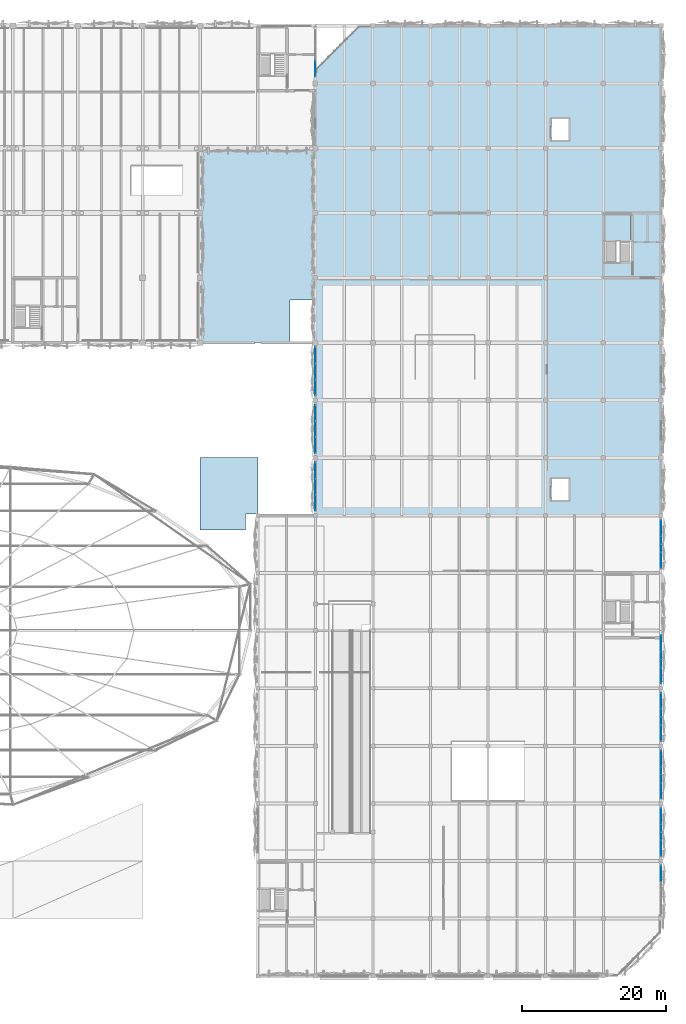
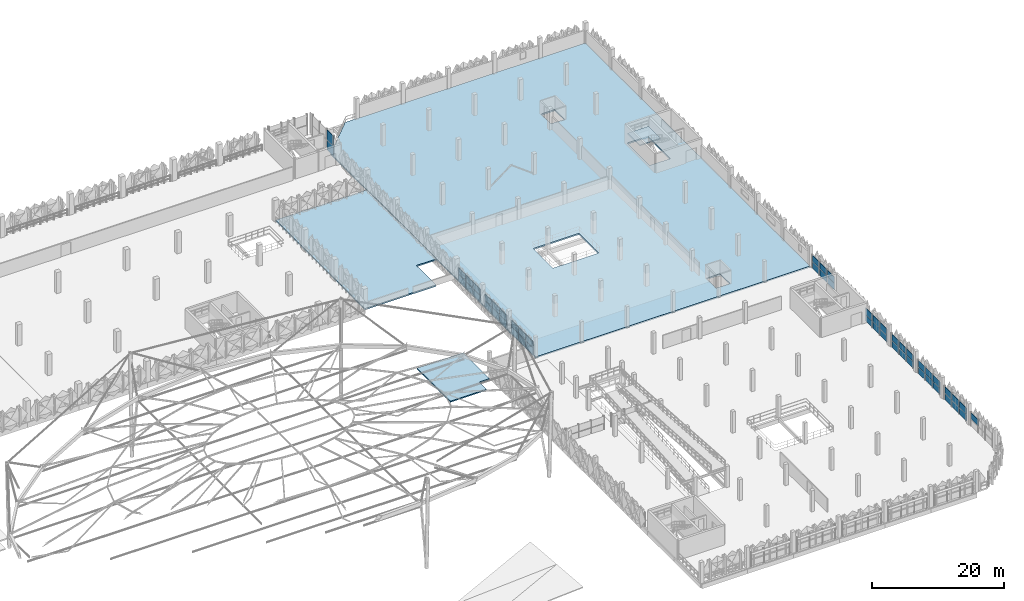
# One storey, part 39 of 96: 51 plates, 4 slabs, 11 elements without a shape of their own.
"""IFC4 building model written with IfcOpenShell, lengths in metres."""

from ifc_helpers import new_model, si_unit, derived_unit, direction, frame, origin, origin_2d, place, context, subcontext, project, spatial, polyline, rectangle, outline, extrude, material, layer, layer_set, type_object, element, aggregate, save


model = new_model("IFC4")

# Units and contexts
model_context = context("Model", 3, precision=1e-05, world=origin(), true_north=direction((0.0, 1.0)))
body_context = subcontext(model_context, "Body", "Model", "MODEL_VIEW")
ifc_project = project(units=[si_unit("LENGTHUNIT", "METRE"), si_unit("AREAUNIT", "SQUARE_METRE"), si_unit("VOLUMEUNIT", "CUBIC_METRE"), si_unit("PLANEANGLEUNIT", "RADIAN"), si_unit("MASSUNIT", "GRAM", prefix="KILO"), si_unit("THERMODYNAMICTEMPERATUREUNIT", "KELVIN"), derived_unit("THERMALTRANSMITTANCEUNIT", [(si_unit("POWERUNIT", "WATT"), 1), (si_unit("AREAUNIT", "SQUARE_METRE"), -1), (si_unit("THERMODYNAMICTEMPERATUREUNIT", "KELVIN"), -1)])], contexts=[model_context])

# Site, building, storey
site_placement = place(None, origin())
site = spatial("IfcSite", under=ifc_project, at=site_placement, CompositionType="ELEMENT")
building_placement = place(site_placement, origin())
building = spatial("IfcBuilding", under=site, at=building_placement, Name="Haiyu Intermodal Mobility Hub", CompositionType="ELEMENT")
storey_placement = place(building_placement, frame((0.0, 0.0, 9.5)))
storey = spatial("IfcBuildingStorey", under=building, at=storey_placement, Name="L02", CompositionType="ELEMENT", Elevation=9.5)

# Curtain wall, plates
ifc_material_1 = material(Name="Low-e laminated insulating glass", Category="glass")
ifc_layer_1 = layer(ifc_material_1, 0.2099609375)
ifc_layer_set_1 = layer_set([ifc_layer_1], Name="Low-e laminated insulating glass")
curtain_wall_type_1 = type_object("IfcCurtainWallType", Name="CW-CW04", PredefinedType="NOTDEFINED", material=ifc_layer_set_1)
curtain_wall_1_placement = place(storey_placement, origin())
curtain_wall_1 = element("IfcCurtainWall", 1, at=curtain_wall_1_placement, inside=storey, type_object=curtain_wall_type_1, Name="Curtain Wall CW-V6W-L02-146", PredefinedType="NOTDEFINED")
ifc_layer_2 = layer(ifc_material_1, 0.035888671875)
ifc_layer_set_2 = layer_set([ifc_layer_2], Name="Low-e laminated insulating glass")
plate_type_1 = type_object("IfcPlateType", Name="PLT-CP01", PredefinedType="CURTAIN_PANEL", material=ifc_layer_set_2)
plate_1_placement = place(storey_placement, frame((162.0, 86.22705078125, 0.03515625), z_axis=(0.0, 0.0, 1.0), x_axis=(0.0, -1.0, 0.0)))
plate_1 = element("IfcPlate", 2, at=plate_1_placement, type_object=plate_type_1, Name="CW-V6W-L02-146-PN01", PredefinedType="CURTAIN_PANEL", context=body_context, shape_type="SweptSolid", body=[
    extrude(rectangle(XDim=2.136962890625, YDim=0.035888671875, at=origin_2d()), origin(), (0.0, 0.0, 1.0), 1.169921875),
])
plate_2_placement = place(storey_placement, frame((162.0, 84.0, 0.03515625), z_axis=(0.0, 0.0, 1.0), x_axis=(0.0, -1.0, 0.0)))
plate_2 = element("IfcPlate", 3, at=plate_2_placement, type_object=plate_type_1, Name="CW-V6W-L02-146-PN03", PredefinedType="CURTAIN_PANEL", context=body_context, shape_type="SweptSolid", body=[
    extrude(rectangle(XDim=2.136962890625, YDim=0.035888671875, at=origin_2d()), origin(), (0.0, 0.0, 1.0), 1.169921875),
])
plate_3_placement = place(storey_placement, frame((162.0, 81.77294921875, 0.03515625), z_axis=(0.0, 0.0, 1.0), x_axis=(0.0, -1.0, 0.0)))
plate_3 = element("IfcPlate", 4, at=plate_3_placement, type_object=plate_type_1, Name="CW-V6W-L02-146-PN05", PredefinedType="CURTAIN_PANEL", context=body_context, shape_type="SweptSolid", body=[
    extrude(rectangle(XDim=2.136962890625, YDim=0.035888671875, at=origin_2d()), origin(), (0.0, 0.0, 1.0), 1.169921875),
])

curtain_wall_2_placement = place(storey_placement, origin())
curtain_wall_2 = element("IfcCurtainWall", 5, at=curtain_wall_2_placement, inside=storey, type_object=curtain_wall_type_1, Name="Curtain Wall CW-V6W-L02-147", PredefinedType="NOTDEFINED")
plate_4_placement = place(storey_placement, frame((162.0, 94.22705078125, 0.03515625), z_axis=(0.0, 0.0, 1.0), x_axis=(0.0, -1.0, 0.0)))
plate_4 = element("IfcPlate", 6, at=plate_4_placement, type_object=plate_type_1, Name="CW-V6W-L02-147-PN01", PredefinedType="CURTAIN_PANEL", context=body_context, shape_type="SweptSolid", body=[
    extrude(rectangle(XDim=2.136962890625, YDim=0.035888671875, at=origin_2d()), origin(), (0.0, 0.0, 1.0), 1.169921875),
])
plate_5_placement = place(storey_placement, frame((162.0, 92.0, 0.03515625), z_axis=(0.0, 0.0, 1.0), x_axis=(0.0, -1.0, 0.0)))
plate_5 = element("IfcPlate", 7, at=plate_5_placement, type_object=plate_type_1, Name="CW-V6W-L02-147-PN03", PredefinedType="CURTAIN_PANEL", context=body_context, shape_type="SweptSolid", body=[
    extrude(rectangle(XDim=2.136962890625, YDim=0.035888671875, at=origin_2d()), origin(), (0.0, 0.0, 1.0), 1.169921875),
])
plate_6_placement = place(storey_placement, frame((162.0, 89.77294921875, 0.03515625), z_axis=(0.0, 0.0, 1.0), x_axis=(0.0, -1.0, 0.0)))
plate_6 = element("IfcPlate", 8, at=plate_6_placement, type_object=plate_type_1, Name="CW-V6W-L02-147-PN05", PredefinedType="CURTAIN_PANEL", context=body_context, shape_type="SweptSolid", body=[
    extrude(rectangle(XDim=2.136962890625, YDim=0.035888671875, at=origin_2d()), origin(), (0.0, 0.0, 1.0), 1.169921875),
])

curtain_wall_3_placement = place(storey_placement, origin())
curtain_wall_3 = element("IfcCurtainWall", 9, at=curtain_wall_3_placement, inside=storey, type_object=curtain_wall_type_1, Name="Curtain Wall CW-V6W-L02-148", PredefinedType="NOTDEFINED")
plate_7_placement = place(storey_placement, frame((162.0, 102.22705078125, 0.03515625), z_axis=(0.0, 0.0, 1.0), x_axis=(0.0, -1.0, 0.0)))
plate_7 = element("IfcPlate", 10, at=plate_7_placement, type_object=plate_type_1, Name="CW-V6W-L02-148-PN01", PredefinedType="CURTAIN_PANEL", context=body_context, shape_type="SweptSolid", body=[
    extrude(rectangle(XDim=2.136962890625, YDim=0.035888671875, at=origin_2d()), origin(), (0.0, 0.0, 1.0), 1.169921875),
])
plate_8_placement = place(storey_placement, frame((162.0, 100.0, 0.03515625), z_axis=(0.0, 0.0, 1.0), x_axis=(0.0, -1.0, 0.0)))
plate_8 = element("IfcPlate", 11, at=plate_8_placement, type_object=plate_type_1, Name="CW-V6W-L02-148-PN03", PredefinedType="CURTAIN_PANEL", context=body_context, shape_type="SweptSolid", body=[
    extrude(rectangle(XDim=2.136962890625, YDim=0.035888671875, at=origin_2d()), origin(), (0.0, 0.0, 1.0), 1.169921875),
])
plate_9_placement = place(storey_placement, frame((162.0, 97.77294921875, 0.03515625), z_axis=(0.0, 0.0, 1.0), x_axis=(0.0, -1.0, 0.0)))
plate_9 = element("IfcPlate", 12, at=plate_9_placement, type_object=plate_type_1, Name="CW-V6W-L02-148-PN05", PredefinedType="CURTAIN_PANEL", context=body_context, shape_type="SweptSolid", body=[
    extrude(rectangle(XDim=2.136962890625, YDim=0.035888671875, at=origin_2d()), origin(), (0.0, 0.0, 1.0), 1.169921875),
])

curtain_wall_4_placement = place(storey_placement, origin())
curtain_wall_4 = element("IfcCurtainWall", 13, at=curtain_wall_4_placement, inside=storey, type_object=curtain_wall_type_1, Name="Curtain Wall CW-V5E-L02-112", PredefinedType="NOTDEFINED")
ifc_material_2 = material(Name="Anodised aluminium 6063-T6", Category="aluminium")
ifc_layer_3 = layer(ifc_material_2, 0.0419921875)
ifc_layer_set_3 = layer_set([ifc_layer_3], Name="Anodised aluminium 6063-T6")
plate_type_2 = type_object("IfcPlateType", Name="PLT-CP02", PredefinedType="CURTAIN_PANEL", material=ifc_layer_set_3)
plate_10_placement = place(storey_placement, frame((210.0, 33.77294921875, 0.03515625), z_axis=(0.0, 0.0, 1.0), x_axis=(0.0, 1.0, 0.0)))
plate_10 = element("IfcPlate", 14, at=plate_10_placement, type_object=plate_type_2, Name="CW-V5E-L02-112-PN01", PredefinedType="CURTAIN_PANEL", context=body_context, shape_type="SweptSolid", body=[
    extrude(rectangle(XDim=2.136962890625, YDim=0.0419921875, at=origin_2d()), origin(), (0.0, 0.0, 1.0), 1.169921875),
])
plate_11_placement = place(storey_placement, frame((210.0, 36.0, 0.03515625), z_axis=(0.0, 0.0, 1.0), x_axis=(0.0, 1.0, 0.0)))
plate_11 = element("IfcPlate", 15, at=plate_11_placement, type_object=plate_type_2, Name="CW-V5E-L02-112-PN03", PredefinedType="CURTAIN_PANEL", context=body_context, shape_type="SweptSolid", body=[
    extrude(rectangle(XDim=2.136962890625, YDim=0.0419921875, at=origin_2d()), origin(), (0.0, 0.0, 1.0), 1.169921875),
])
plate_12_placement = place(storey_placement, frame((210.0, 38.22705078125, 0.03515625), z_axis=(0.0, 0.0, 1.0), x_axis=(0.0, 1.0, 0.0)))
plate_12 = element("IfcPlate", 16, at=plate_12_placement, type_object=plate_type_2, Name="CW-V5E-L02-112-PN05", PredefinedType="CURTAIN_PANEL", context=body_context, shape_type="SweptSolid", body=[
    extrude(rectangle(XDim=2.136962890625, YDim=0.0419921875, at=origin_2d()), origin(), (0.0, 0.0, 1.0), 1.169921875),
])

curtain_wall_5_placement = place(storey_placement, origin())
curtain_wall_5 = element("IfcCurtainWall", 17, at=curtain_wall_5_placement, inside=storey, type_object=curtain_wall_type_1, Name="Curtain Wall CW-V5E-L02-113", PredefinedType="NOTDEFINED")
plate_13_placement = place(storey_placement, frame((210.0, 41.77294921875, 0.03515625), z_axis=(0.0, 0.0, 1.0), x_axis=(0.0, 1.0, 0.0)))
plate_13 = element("IfcPlate", 18, at=plate_13_placement, type_object=plate_type_2, Name="CW-V5E-L02-113-PN01", PredefinedType="CURTAIN_PANEL", context=body_context, shape_type="SweptSolid", body=[
    extrude(rectangle(XDim=2.136962890625, YDim=0.0419921875, at=origin_2d()), origin(), (0.0, 0.0, 1.0), 1.169921875),
])
plate_14_placement = place(storey_placement, frame((210.0, 44.0, 0.03515625), z_axis=(0.0, 0.0, 1.0), x_axis=(0.0, 1.0, 0.0)))
plate_14 = element("IfcPlate", 19, at=plate_14_placement, type_object=plate_type_2, Name="CW-V5E-L02-113-PN03", PredefinedType="CURTAIN_PANEL", context=body_context, shape_type="SweptSolid", body=[
    extrude(rectangle(XDim=2.136962890625, YDim=0.0419921875, at=origin_2d()), origin(), (0.0, 0.0, 1.0), 1.169921875),
])
plate_15_placement = place(storey_placement, frame((210.0, 46.22705078125, 0.03515625), z_axis=(0.0, 0.0, 1.0), x_axis=(0.0, 1.0, 0.0)))
plate_15 = element("IfcPlate", 20, at=plate_15_placement, type_object=plate_type_2, Name="CW-V5E-L02-113-PN05", PredefinedType="CURTAIN_PANEL", context=body_context, shape_type="SweptSolid", body=[
    extrude(rectangle(XDim=2.136962890625, YDim=0.0419921875, at=origin_2d()), origin(), (0.0, 0.0, 1.0), 1.169921875),
])

curtain_wall_6_placement = place(storey_placement, origin())
curtain_wall_6 = element("IfcCurtainWall", 21, at=curtain_wall_6_placement, inside=storey, type_object=curtain_wall_type_1, Name="Curtain Wall CW-V5E-L02-114", PredefinedType="NOTDEFINED")
plate_16_placement = place(storey_placement, frame((210.0, 49.77294921875, 0.03515625), z_axis=(0.0, 0.0, 1.0), x_axis=(0.0, 1.0, 0.0)))
plate_16 = element("IfcPlate", 22, at=plate_16_placement, type_object=plate_type_2, Name="CW-V5E-L02-114-PN01", PredefinedType="CURTAIN_PANEL", context=body_context, shape_type="SweptSolid", body=[
    extrude(rectangle(XDim=2.136962890625, YDim=0.0419921875, at=origin_2d()), origin(), (0.0, 0.0, 1.0), 1.169921875),
])
plate_17_placement = place(storey_placement, frame((210.0, 52.0, 0.03515625), z_axis=(0.0, 0.0, 1.0), x_axis=(0.0, 1.0, 0.0)))
plate_17 = element("IfcPlate", 23, at=plate_17_placement, type_object=plate_type_2, Name="CW-V5E-L02-114-PN03", PredefinedType="CURTAIN_PANEL", context=body_context, shape_type="SweptSolid", body=[
    extrude(rectangle(XDim=2.136962890625, YDim=0.0419921875, at=origin_2d()), origin(), (0.0, 0.0, 1.0), 1.169921875),
])
plate_18_placement = place(storey_placement, frame((210.0, 54.22705078125, 0.03515625), z_axis=(0.0, 0.0, 1.0), x_axis=(0.0, 1.0, 0.0)))
plate_18 = element("IfcPlate", 24, at=plate_18_placement, type_object=plate_type_2, Name="CW-V5E-L02-114-PN05", PredefinedType="CURTAIN_PANEL", context=body_context, shape_type="SweptSolid", body=[
    extrude(rectangle(XDim=2.136962890625, YDim=0.0419921875, at=origin_2d()), origin(), (0.0, 0.0, 1.0), 1.169921875),
])

curtain_wall_7_placement = place(storey_placement, origin())
curtain_wall_7 = element("IfcCurtainWall", 25, at=curtain_wall_7_placement, inside=storey, type_object=curtain_wall_type_1, Name="Curtain Wall CW-V5E-L02-115", PredefinedType="NOTDEFINED")
plate_19_placement = place(storey_placement, frame((210.0, 57.77294921875, 0.03515625), z_axis=(0.0, 0.0, 1.0), x_axis=(0.0, 1.0, 0.0)))
plate_19 = element("IfcPlate", 26, at=plate_19_placement, type_object=plate_type_2, Name="CW-V5E-L02-115-PN01", PredefinedType="CURTAIN_PANEL", context=body_context, shape_type="SweptSolid", body=[
    extrude(rectangle(XDim=2.136962890625, YDim=0.0419921875, at=origin_2d()), origin(), (0.0, 0.0, 1.0), 1.169921875),
])
plate_20_placement = place(storey_placement, frame((210.0, 60.0, 0.03515625), z_axis=(0.0, 0.0, 1.0), x_axis=(0.0, 1.0, 0.0)))
plate_20 = element("IfcPlate", 27, at=plate_20_placement, type_object=plate_type_2, Name="CW-V5E-L02-115-PN03", PredefinedType="CURTAIN_PANEL", context=body_context, shape_type="SweptSolid", body=[
    extrude(rectangle(XDim=2.136962890625, YDim=0.0419921875, at=origin_2d()), origin(), (0.0, 0.0, 1.0), 1.169921875),
])
plate_21_placement = place(storey_placement, frame((210.0, 62.22705078125, 0.03515625), z_axis=(0.0, 0.0, 1.0), x_axis=(0.0, 1.0, 0.0)))
plate_21 = element("IfcPlate", 28, at=plate_21_placement, type_object=plate_type_2, Name="CW-V5E-L02-115-PN05", PredefinedType="CURTAIN_PANEL", context=body_context, shape_type="SweptSolid", body=[
    extrude(rectangle(XDim=2.136962890625, YDim=0.0419921875, at=origin_2d()), origin(), (0.0, 0.0, 1.0), 1.169921875),
])

curtain_wall_8_placement = place(storey_placement, origin())
curtain_wall_8 = element("IfcCurtainWall", 29, at=curtain_wall_8_placement, inside=storey, type_object=curtain_wall_type_1, Name="Curtain Wall CW-V5E-L02-116", PredefinedType="NOTDEFINED")
plate_22_placement = place(storey_placement, frame((210.0, 73.77294921875, 0.03515625), z_axis=(0.0, 0.0, 1.0), x_axis=(0.0, 1.0, 0.0)))
plate_22 = element("IfcPlate", 30, at=plate_22_placement, type_object=plate_type_2, Name="CW-V5E-L02-116-PN01", PredefinedType="CURTAIN_PANEL", context=body_context, shape_type="SweptSolid", body=[
    extrude(rectangle(XDim=2.136962890625, YDim=0.0419921875, at=origin_2d()), origin(), (0.0, 0.0, 1.0), 1.169921875),
])
plate_23_placement = place(storey_placement, frame((210.0, 76.0, 0.03515625), z_axis=(0.0, 0.0, 1.0), x_axis=(0.0, 1.0, 0.0)))
plate_23 = element("IfcPlate", 31, at=plate_23_placement, type_object=plate_type_2, Name="CW-V5E-L02-116-PN03", PredefinedType="CURTAIN_PANEL", context=body_context, shape_type="SweptSolid", body=[
    extrude(rectangle(XDim=2.136962890625, YDim=0.0419921875, at=origin_2d()), origin(), (0.0, 0.0, 1.0), 1.169921875),
])
plate_24_placement = place(storey_placement, frame((210.0, 78.22705078125, 0.03515625), z_axis=(0.0, 0.0, 1.0), x_axis=(0.0, 1.0, 0.0)))
plate_24 = element("IfcPlate", 32, at=plate_24_placement, type_object=plate_type_2, Name="CW-V5E-L02-116-PN05", PredefinedType="CURTAIN_PANEL", context=body_context, shape_type="SweptSolid", body=[
    extrude(rectangle(XDim=2.136962890625, YDim=0.0419921875, at=origin_2d()), origin(), (0.0, 0.0, 1.0), 1.169921875),
])

ifc_layer_4 = layer(ifc_material_1, 0.199951171875)
ifc_layer_set_4 = layer_set([ifc_layer_4], Name="Low-e laminated insulating glass")
curtain_wall_type_2 = type_object("IfcCurtainWallType", Name="CW-CW03", PredefinedType="NOTDEFINED", material=ifc_layer_set_4)
curtain_wall_9_placement = place(storey_placement, origin())
curtain_wall_9 = element("IfcCurtainWall", 33, at=curtain_wall_9_placement, inside=storey, type_object=curtain_wall_type_2, Name="Curtain Wall CW-C4S-L02-068", PredefinedType="NOTDEFINED")
ifc_layer_5 = layer(ifc_material_1, 0.0400390625)
ifc_layer_set_5 = layer_set([ifc_layer_5], Name="Low-e laminated insulating glass")
plate_type_3 = type_object("IfcPlateType", Name="PLT-CP03", PredefinedType="CURTAIN_PANEL", material=ifc_layer_set_5)
plate_25_placement = place(storey_placement, frame((162.0, 142.048095703125, 0.03515625), z_axis=(0.0, 0.0, 1.0), x_axis=(0.0, 1.0, 0.0)))
plate_25 = element("IfcPlate", 34, at=plate_25_placement, type_object=plate_type_3, Name="CW-C4S-L02-068-PN01", PredefinedType="CURTAIN_PANEL", context=body_context, shape_type="SweptSolid", body=[
    extrude(rectangle(XDim=2.027099609375, YDim=0.0400390625, at=origin_2d()), origin(), (0.0, 0.0, 1.0), 1.840087890625),
])
ifc_layer_6 = layer(ifc_material_1, 0.0439453125)
ifc_layer_set_6 = layer_set([ifc_layer_6], Name="Low-e laminated insulating glass")
plate_type_4 = type_object("IfcPlateType", Name="PLT-CP04", PredefinedType="CURTAIN_PANEL", material=ifc_layer_set_6)
plate_26_placement = place(storey_placement, frame((162.0, 142.048095703125, 1.94482421875), z_axis=(0.0, 0.0, 1.0), x_axis=(0.0, 1.0, 0.0)))
plate_26 = element("IfcPlate", 35, at=plate_26_placement, type_object=plate_type_4, Name="CW-C4S-L02-068-PN02", PredefinedType="CURTAIN_PANEL", context=body_context, shape_type="SweptSolid", body=[
    extrude(rectangle(XDim=2.027099609375, YDim=0.0439453125, at=origin_2d()), origin(), (0.0, 0.0, 1.0), 1.840087890625),
])
aggregate(curtain_wall_9, [plate_25, plate_26])

# Curtain wall, plate
curtain_wall_10_placement = place(storey_placement, origin())
curtain_wall_10 = element("IfcCurtainWall", 36, at=curtain_wall_10_placement, inside=storey, type_object=curtain_wall_type_1, Name="Curtain Wall CW-V5E-L02-111", PredefinedType="NOTDEFINED")
plate_27_placement = place(storey_placement, frame((210.0, 30.22705078125, 1.275146484375), z_axis=(0.0, 0.0, 1.0), x_axis=(0.0, 1.0, 0.0)))
plate_27 = element("IfcPlate", 37, at=plate_27_placement, type_object=plate_type_4, Name="CW-V5E-L02-111-PN06", PredefinedType="CURTAIN_PANEL", context=body_context, shape_type="SweptSolid", body=[
    extrude(rectangle(XDim=2.136962890625, YDim=0.0439453125, at=origin_2d()), origin(), (0.0, 0.0, 1.0), 1.169921875),
])
aggregate(curtain_wall_10, [plate_27])

# Plate
plate_28_placement = place(storey_placement, frame((210.0, 33.77294921875, 1.275146484375), z_axis=(0.0, 0.0, 1.0), x_axis=(0.0, 1.0, 0.0)))
plate_28 = element("IfcPlate", 38, at=plate_28_placement, type_object=plate_type_4, Name="CW-V5E-L02-112-PN02", PredefinedType="CURTAIN_PANEL", context=body_context, shape_type="SweptSolid", body=[
    extrude(rectangle(XDim=2.136962890625, YDim=0.0439453125, at=origin_2d()), origin(), (0.0, 0.0, 1.0), 1.169921875),
])

plate_29_placement = place(storey_placement, frame((210.0, 36.0, 1.275146484375), z_axis=(0.0, 0.0, 1.0), x_axis=(0.0, 1.0, 0.0)))
plate_29 = element("IfcPlate", 39, at=plate_29_placement, type_object=plate_type_4, Name="CW-V5E-L02-112-PN04", PredefinedType="CURTAIN_PANEL", context=body_context, shape_type="SweptSolid", body=[
    extrude(rectangle(XDim=2.136962890625, YDim=0.0439453125, at=origin_2d()), origin(), (0.0, 0.0, 1.0), 1.169921875),
])

plate_30_placement = place(storey_placement, frame((210.0, 38.22705078125, 1.275146484375), z_axis=(0.0, 0.0, 1.0), x_axis=(0.0, 1.0, 0.0)))
plate_30 = element("IfcPlate", 40, at=plate_30_placement, type_object=plate_type_4, Name="CW-V5E-L02-112-PN06", PredefinedType="CURTAIN_PANEL", context=body_context, shape_type="SweptSolid", body=[
    extrude(rectangle(XDim=2.136962890625, YDim=0.0439453125, at=origin_2d()), origin(), (0.0, 0.0, 1.0), 1.169921875),
])

aggregate(curtain_wall_4, [plate_10, plate_28, plate_11, plate_29, plate_12, plate_30])

plate_31_placement = place(storey_placement, frame((210.0, 41.77294921875, 1.275146484375), z_axis=(0.0, 0.0, 1.0), x_axis=(0.0, 1.0, 0.0)))
plate_31 = element("IfcPlate", 41, at=plate_31_placement, type_object=plate_type_4, Name="CW-V5E-L02-113-PN02", PredefinedType="CURTAIN_PANEL", context=body_context, shape_type="SweptSolid", body=[
    extrude(rectangle(XDim=2.136962890625, YDim=0.0439453125, at=origin_2d()), origin(), (0.0, 0.0, 1.0), 1.169921875),
])

plate_32_placement = place(storey_placement, frame((210.0, 44.0, 1.275146484375), z_axis=(0.0, 0.0, 1.0), x_axis=(0.0, 1.0, 0.0)))
plate_32 = element("IfcPlate", 42, at=plate_32_placement, type_object=plate_type_4, Name="CW-V5E-L02-113-PN04", PredefinedType="CURTAIN_PANEL", context=body_context, shape_type="SweptSolid", body=[
    extrude(rectangle(XDim=2.136962890625, YDim=0.0439453125, at=origin_2d()), origin(), (0.0, 0.0, 1.0), 1.169921875),
])

plate_33_placement = place(storey_placement, frame((210.0, 46.22705078125, 1.275146484375), z_axis=(0.0, 0.0, 1.0), x_axis=(0.0, 1.0, 0.0)))
plate_33 = element("IfcPlate", 43, at=plate_33_placement, type_object=plate_type_4, Name="CW-V5E-L02-113-PN06", PredefinedType="CURTAIN_PANEL", context=body_context, shape_type="SweptSolid", body=[
    extrude(rectangle(XDim=2.136962890625, YDim=0.0439453125, at=origin_2d()), origin(), (0.0, 0.0, 1.0), 1.169921875),
])

aggregate(curtain_wall_5, [plate_13, plate_31, plate_14, plate_32, plate_15, plate_33])

plate_34_placement = place(storey_placement, frame((210.0, 49.77294921875, 1.275146484375), z_axis=(0.0, 0.0, 1.0), x_axis=(0.0, 1.0, 0.0)))
plate_34 = element("IfcPlate", 44, at=plate_34_placement, type_object=plate_type_4, Name="CW-V5E-L02-114-PN02", PredefinedType="CURTAIN_PANEL", context=body_context, shape_type="SweptSolid", body=[
    extrude(rectangle(XDim=2.136962890625, YDim=0.0439453125, at=origin_2d()), origin(), (0.0, 0.0, 1.0), 1.169921875),
])

plate_35_placement = place(storey_placement, frame((210.0, 52.0, 1.275146484375), z_axis=(0.0, 0.0, 1.0), x_axis=(0.0, 1.0, 0.0)))
plate_35 = element("IfcPlate", 45, at=plate_35_placement, type_object=plate_type_4, Name="CW-V5E-L02-114-PN04", PredefinedType="CURTAIN_PANEL", context=body_context, shape_type="SweptSolid", body=[
    extrude(rectangle(XDim=2.136962890625, YDim=0.0439453125, at=origin_2d()), origin(), (0.0, 0.0, 1.0), 1.169921875),
])

plate_36_placement = place(storey_placement, frame((210.0, 54.22705078125, 1.275146484375), z_axis=(0.0, 0.0, 1.0), x_axis=(0.0, 1.0, 0.0)))
plate_36 = element("IfcPlate", 46, at=plate_36_placement, type_object=plate_type_4, Name="CW-V5E-L02-114-PN06", PredefinedType="CURTAIN_PANEL", context=body_context, shape_type="SweptSolid", body=[
    extrude(rectangle(XDim=2.136962890625, YDim=0.0439453125, at=origin_2d()), origin(), (0.0, 0.0, 1.0), 1.169921875),
])

aggregate(curtain_wall_6, [plate_16, plate_34, plate_17, plate_35, plate_18, plate_36])

plate_37_placement = place(storey_placement, frame((210.0, 57.77294921875, 1.275146484375), z_axis=(0.0, 0.0, 1.0), x_axis=(0.0, 1.0, 0.0)))
plate_37 = element("IfcPlate", 47, at=plate_37_placement, type_object=plate_type_4, Name="CW-V5E-L02-115-PN02", PredefinedType="CURTAIN_PANEL", context=body_context, shape_type="SweptSolid", body=[
    extrude(rectangle(XDim=2.136962890625, YDim=0.0439453125, at=origin_2d()), origin(), (0.0, 0.0, 1.0), 1.169921875),
])

plate_38_placement = place(storey_placement, frame((210.0, 60.0, 1.275146484375), z_axis=(0.0, 0.0, 1.0), x_axis=(0.0, 1.0, 0.0)))
plate_38 = element("IfcPlate", 48, at=plate_38_placement, type_object=plate_type_4, Name="CW-V5E-L02-115-PN04", PredefinedType="CURTAIN_PANEL", context=body_context, shape_type="SweptSolid", body=[
    extrude(rectangle(XDim=2.136962890625, YDim=0.0439453125, at=origin_2d()), origin(), (0.0, 0.0, 1.0), 1.169921875),
])

plate_39_placement = place(storey_placement, frame((210.0, 62.22705078125, 1.275146484375), z_axis=(0.0, 0.0, 1.0), x_axis=(0.0, 1.0, 0.0)))
plate_39 = element("IfcPlate", 49, at=plate_39_placement, type_object=plate_type_4, Name="CW-V5E-L02-115-PN06", PredefinedType="CURTAIN_PANEL", context=body_context, shape_type="SweptSolid", body=[
    extrude(rectangle(XDim=2.136962890625, YDim=0.0439453125, at=origin_2d()), origin(), (0.0, 0.0, 1.0), 1.169921875),
])

aggregate(curtain_wall_7, [plate_19, plate_37, plate_20, plate_38, plate_21, plate_39])

plate_40_placement = place(storey_placement, frame((210.0, 73.77294921875, 1.275146484375), z_axis=(0.0, 0.0, 1.0), x_axis=(0.0, 1.0, 0.0)))
plate_40 = element("IfcPlate", 50, at=plate_40_placement, type_object=plate_type_4, Name="CW-V5E-L02-116-PN02", PredefinedType="CURTAIN_PANEL", context=body_context, shape_type="SweptSolid", body=[
    extrude(rectangle(XDim=2.136962890625, YDim=0.0439453125, at=origin_2d()), origin(), (0.0, 0.0, 1.0), 1.169921875),
])

plate_41_placement = place(storey_placement, frame((210.0, 76.0, 1.275146484375), z_axis=(0.0, 0.0, 1.0), x_axis=(0.0, 1.0, 0.0)))
plate_41 = element("IfcPlate", 51, at=plate_41_placement, type_object=plate_type_4, Name="CW-V5E-L02-116-PN04", PredefinedType="CURTAIN_PANEL", context=body_context, shape_type="SweptSolid", body=[
    extrude(rectangle(XDim=2.136962890625, YDim=0.0439453125, at=origin_2d()), origin(), (0.0, 0.0, 1.0), 1.169921875),
])

plate_42_placement = place(storey_placement, frame((210.0, 78.22705078125, 1.275146484375), z_axis=(0.0, 0.0, 1.0), x_axis=(0.0, 1.0, 0.0)))
plate_42 = element("IfcPlate", 52, at=plate_42_placement, type_object=plate_type_4, Name="CW-V5E-L02-116-PN06", PredefinedType="CURTAIN_PANEL", context=body_context, shape_type="SweptSolid", body=[
    extrude(rectangle(XDim=2.136962890625, YDim=0.0439453125, at=origin_2d()), origin(), (0.0, 0.0, 1.0), 1.169921875),
])

aggregate(curtain_wall_8, [plate_22, plate_40, plate_23, plate_41, plate_24, plate_42])

plate_43_placement = place(storey_placement, frame((162.0, 86.22705078125, 1.275146484375), z_axis=(0.0, 0.0, 1.0), x_axis=(0.0, -1.0, 0.0)))
plate_43 = element("IfcPlate", 53, at=plate_43_placement, type_object=plate_type_4, Name="CW-V6W-L02-146-PN02", PredefinedType="CURTAIN_PANEL", context=body_context, shape_type="SweptSolid", body=[
    extrude(rectangle(XDim=2.136962890625, YDim=0.0439453125, at=origin_2d()), origin(), (0.0, 0.0, 1.0), 1.169921875),
])

plate_44_placement = place(storey_placement, frame((162.0, 84.0, 1.275146484375), z_axis=(0.0, 0.0, 1.0), x_axis=(0.0, -1.0, 0.0)))
plate_44 = element("IfcPlate", 54, at=plate_44_placement, type_object=plate_type_4, Name="CW-V6W-L02-146-PN04", PredefinedType="CURTAIN_PANEL", context=body_context, shape_type="SweptSolid", body=[
    extrude(rectangle(XDim=2.136962890625, YDim=0.0439453125, at=origin_2d()), origin(), (0.0, 0.0, 1.0), 1.169921875),
])

plate_45_placement = place(storey_placement, frame((162.0, 81.77294921875, 1.275146484375), z_axis=(0.0, 0.0, 1.0), x_axis=(0.0, -1.0, 0.0)))
plate_45 = element("IfcPlate", 55, at=plate_45_placement, type_object=plate_type_4, Name="CW-V6W-L02-146-PN06", PredefinedType="CURTAIN_PANEL", context=body_context, shape_type="SweptSolid", body=[
    extrude(rectangle(XDim=2.136962890625, YDim=0.0439453125, at=origin_2d()), origin(), (0.0, 0.0, 1.0), 1.169921875),
])

aggregate(curtain_wall_1, [plate_1, plate_43, plate_2, plate_44, plate_3, plate_45])

plate_46_placement = place(storey_placement, frame((162.0, 94.22705078125, 1.275146484375), z_axis=(0.0, 0.0, 1.0), x_axis=(0.0, -1.0, 0.0)))
plate_46 = element("IfcPlate", 56, at=plate_46_placement, type_object=plate_type_4, Name="CW-V6W-L02-147-PN02", PredefinedType="CURTAIN_PANEL", context=body_context, shape_type="SweptSolid", body=[
    extrude(rectangle(XDim=2.136962890625, YDim=0.0439453125, at=origin_2d()), origin(), (0.0, 0.0, 1.0), 1.169921875),
])

plate_47_placement = place(storey_placement, frame((162.0, 92.0, 1.275146484375), z_axis=(0.0, 0.0, 1.0), x_axis=(0.0, -1.0, 0.0)))
plate_47 = element("IfcPlate", 57, at=plate_47_placement, type_object=plate_type_4, Name="CW-V6W-L02-147-PN04", PredefinedType="CURTAIN_PANEL", context=body_context, shape_type="SweptSolid", body=[
    extrude(rectangle(XDim=2.136962890625, YDim=0.0439453125, at=origin_2d()), origin(), (0.0, 0.0, 1.0), 1.169921875),
])

plate_48_placement = place(storey_placement, frame((162.0, 89.77294921875, 1.275146484375), z_axis=(0.0, 0.0, 1.0), x_axis=(0.0, -1.0, 0.0)))
plate_48 = element("IfcPlate", 58, at=plate_48_placement, type_object=plate_type_4, Name="CW-V6W-L02-147-PN06", PredefinedType="CURTAIN_PANEL", context=body_context, shape_type="SweptSolid", body=[
    extrude(rectangle(XDim=2.136962890625, YDim=0.0439453125, at=origin_2d()), origin(), (0.0, 0.0, 1.0), 1.169921875),
])

aggregate(curtain_wall_2, [plate_4, plate_46, plate_5, plate_47, plate_6, plate_48])

plate_49_placement = place(storey_placement, frame((162.0, 102.22705078125, 1.275146484375), z_axis=(0.0, 0.0, 1.0), x_axis=(0.0, -1.0, 0.0)))
plate_49 = element("IfcPlate", 59, at=plate_49_placement, type_object=plate_type_4, Name="CW-V6W-L02-148-PN02", PredefinedType="CURTAIN_PANEL", context=body_context, shape_type="SweptSolid", body=[
    extrude(rectangle(XDim=2.136962890625, YDim=0.0439453125, at=origin_2d()), origin(), (0.0, 0.0, 1.0), 1.169921875),
])

plate_50_placement = place(storey_placement, frame((162.0, 100.0, 1.275146484375), z_axis=(0.0, 0.0, 1.0), x_axis=(0.0, -1.0, 0.0)))
plate_50 = element("IfcPlate", 60, at=plate_50_placement, type_object=plate_type_4, Name="CW-V6W-L02-148-PN04", PredefinedType="CURTAIN_PANEL", context=body_context, shape_type="SweptSolid", body=[
    extrude(rectangle(XDim=2.136962890625, YDim=0.0439453125, at=origin_2d()), origin(), (0.0, 0.0, 1.0), 1.169921875),
])

plate_51_placement = place(storey_placement, frame((162.0, 97.77294921875, 1.275146484375), z_axis=(0.0, 0.0, 1.0), x_axis=(0.0, -1.0, 0.0)))
plate_51 = element("IfcPlate", 61, at=plate_51_placement, type_object=plate_type_4, Name="CW-V6W-L02-148-PN06", PredefinedType="CURTAIN_PANEL", context=body_context, shape_type="SweptSolid", body=[
    extrude(rectangle(XDim=2.136962890625, YDim=0.0439453125, at=origin_2d()), origin(), (0.0, 0.0, 1.0), 1.169921875),
])

aggregate(curtain_wall_3, [plate_7, plate_49, plate_8, plate_50, plate_9, plate_51])

# Slabs
ifc_material_3 = material(Name="Concrete C40", Category="concrete")
ifc_layer_7 = layer(ifc_material_3, 0.260009765625)
ifc_layer_set_7 = layer_set([ifc_layer_7], Name="Concrete C40")
slab_type_1 = type_object("IfcSlabType", Name="SLB-SL06", PredefinedType="FLOOR", material=ifc_layer_set_7)
slab_1_placement = place(storey_placement, frame((0.0, 0.0, -0.260009765625)))
element("IfcSlab", 62, at=slab_1_placement, inside=storey, type_object=slab_type_1, Name="L02 Service & Dispatch Wing Slab", PredefinedType="FLOOR", context=body_context, shape_type="SweptSolid", body=[
    extrude(outline(polyline([(162.02001953125, 80.02001953125), (210.0, 80.02001953125), (210.0, 148.0), (168.0, 148.0), (162.02001953125, 142.0), (162.02001953125, 80.02001953125)]), holes=[polyline([(202.219970703125, 115.14990234375), (205.85009765625, 115.14990234375), (205.85009765625, 121.949951171875), (202.219970703125, 121.949951171875), (202.219970703125, 115.14990234375)]), polyline([(194.81494140625, 82.114990234375), (197.18505859375, 82.114990234375), (197.18505859375, 85.0849609375), (194.81494140625, 85.0849609375), (194.81494140625, 82.114990234375)]), polyline([(194.81494140625, 132.114990234375), (197.18505859375, 132.114990234375), (197.18505859375, 135.0849609375), (194.81494140625, 135.0849609375), (194.81494140625, 132.114990234375)]), polyline([(176.0, 99.0), (184.0, 99.0), (184.0, 105.0), (176.0, 105.0), (176.0, 99.0)])]), origin(), (0.0, 0.0, 1.0), 0.260009765625),
])
ifc_layer_8 = layer(ifc_material_3, 0.179931640625)
ifc_layer_set_8 = layer_set([ifc_layer_8], Name="Concrete C40")
slab_type_2 = type_object("IfcSlabType", Name="SLB-SL12", PredefinedType="ROOF", material=ifc_layer_set_8)
slab_2_placement = place(storey_placement, frame((0.0, 0.0, -0.2548828125)))
element("IfcSlab", 63, at=slab_2_placement, inside=storey, type_object=slab_type_2, Name="SLB-L02-V4SE-RF", PredefinedType="ROOF", context=body_context, shape_type="SweptSolid", body=[
    extrude(outline(polyline([(146.0400390625, 104.0), (158.489013671875, 104.0), (158.489013671875, 109.930908203125), (162.0, 109.930908203125), (162.0, 130.9599609375), (146.0400390625, 130.9599609375), (146.0400390625, 104.0)])), origin(), (0.0, 0.0, 1.0), 0.2548828125),
])
slab_3_placement = place(storey_placement, frame((0.0, 0.0, -1.5)))
element("IfcSlab", 64, at=slab_3_placement, inside=storey, type_object=slab_type_2, Name="Core C2 Skylight Headhouse Cap", PredefinedType="ROOF", context=body_context, shape_type="SweptSolid", body=[
    extrude(outline(polyline([(145.949951171875, 77.949951171875), (152.26806640625, 77.949951171875), (152.26806640625, 80.172119140625), (154.050048828125, 80.172119140625), (154.050048828125, 88.050048828125), (145.949951171875, 88.050048828125), (145.949951171875, 77.949951171875)])), origin(), (0.0, 0.0, 1.0), 0.219970703125),
])

# Stair, slab
stair_type = type_object("IfcStairType", Name="STR-ST02", PredefinedType="HALF_TURN_STAIR", material=ifc_material_3)
stair_placement = place(storey_placement, origin())
stair = element("IfcStair", 65, at=stair_placement, inside=storey, type_object=stair_type, Name="Exit Stair ST03 L02", PredefinedType="HALF_TURN_STAIR")
ifc_layer_9 = layer(ifc_material_3, 0.2099609375)
ifc_layer_set_9 = layer_set([ifc_layer_9], Name="Concrete C40")
slab_type_3 = type_object("IfcSlabType", Name="SLB-SL13", PredefinedType="LANDING", material=ifc_layer_set_9)
slab_4_placement = place(storey_placement, frame((0.0, 0.0, 1.739990234375)))
slab_4 = element("IfcSlab", 66, at=slab_4_placement, type_object=slab_type_3, Name="Stair Half-Landing STR-C10-L02-LND", PredefinedType="LANDING", context=body_context, shape_type="SweptSolid", body=[
    extrude(outline(polyline([(202.219970703125, 118.1298828125), (205.8701171875, 118.1298828125), (205.8701171875, 121.780029296875), (202.219970703125, 121.780029296875), (202.219970703125, 118.1298828125)])), origin(), (0.0, 0.0, 1.0), 0.2099609375),
])
aggregate(stair, [slab_4])

save(model, "model.ifc")
